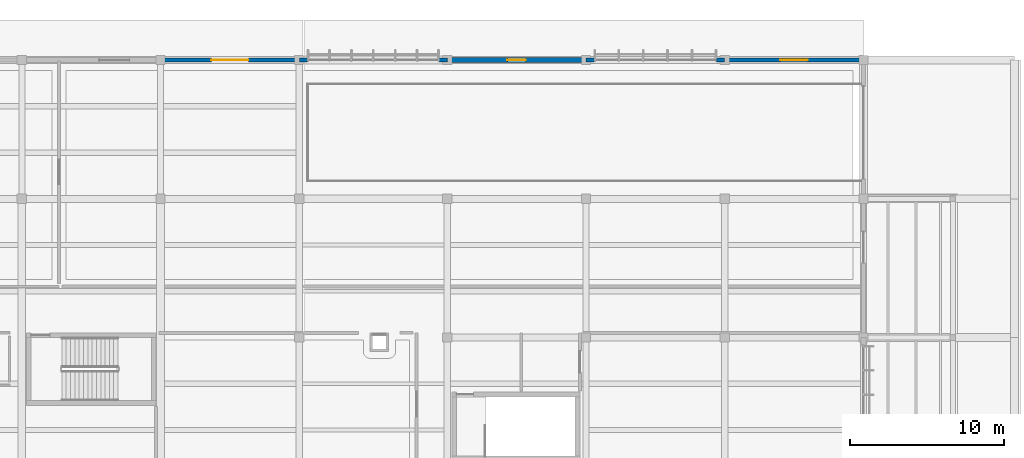
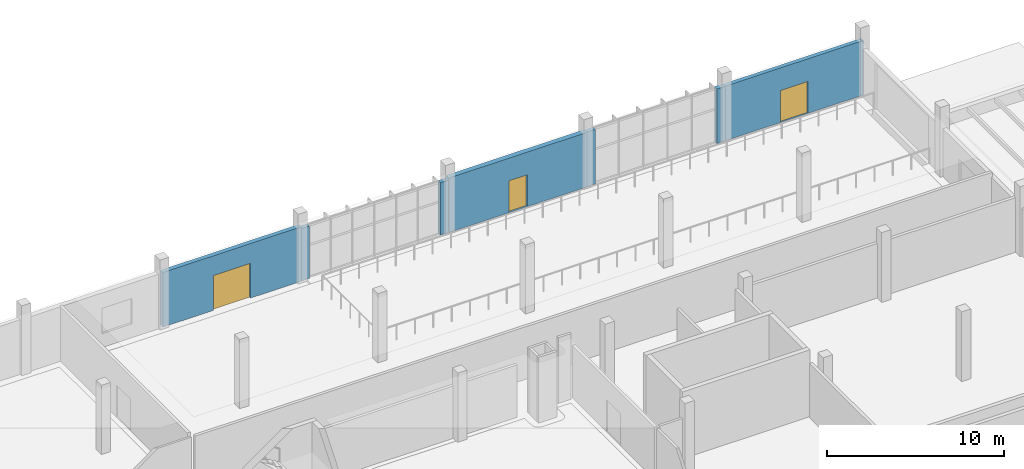
# One storey, part 131 of 151: 7 walls, 3 doors, 3 openings.
"""IFC4 building model written with IfcOpenShell, lengths in metres."""

from ifc_helpers import new_model, si_unit, direction, frame, frame_2d, origin, place, context, subcontext, project, spatial, rectangle, extrude, material, layer, layer_set, type_object, element, fill, save


model = new_model("IFC4")

# Units and contexts
model_context = context("Model", 3, precision=1e-05, world=origin(), true_north=direction((0.0, 1.0)))
body_context = subcontext(model_context, "Body", "Model", "MODEL_VIEW")
ifc_project = project(units=[si_unit("LENGTHUNIT", "METRE"), si_unit("AREAUNIT", "SQUARE_METRE"), si_unit("VOLUMEUNIT", "CUBIC_METRE"), si_unit("PLANEANGLEUNIT", "RADIAN"), si_unit("MASSUNIT", "GRAM", prefix="KILO")], contexts=[model_context])

# Site, building, storey
site_placement = place(None, origin())
site = spatial("IfcSite", under=ifc_project, at=site_placement, CompositionType="ELEMENT")
building_placement = place(site_placement, origin())
building = spatial("IfcBuilding", under=site, at=building_placement, Name="Chiffa Square Polytechnic", CompositionType="ELEMENT")
storey_placement = place(building_placement, origin())
storey = spatial("IfcBuildingStorey", under=building, at=storey_placement, Name="L00", CompositionType="ELEMENT", Elevation=0.0)

# Wall, opening, door
ifc_material_1 = material(Name="Precast concrete C40/50", Category="concrete")
ifc_layer_1 = layer(ifc_material_1, 0.260009765625, Name="Precast concrete C40/50")
ifc_layer_set_1 = layer_set([ifc_layer_1], Name="Precast concrete C40/50")
wall_type_1 = type_object("IfcWallType", Name="WL-EXT-PC260", PredefinedType="SOLIDWALL", material=ifc_layer_set_1)
wall_1_placement = place(storey_placement, frame((148.199951171875, 130.800048828125, 0.0), z_axis=(0.0, 0.0, 1.0), x_axis=(-1.0, 0.0, 0.0)))
wall_1 = element("IfcWall", 1, at=wall_1_placement, inside=storey, type_object=wall_type_1, Name="Exterior wall WE-V5-L00-0236", PredefinedType="SOLIDWALL", context=body_context, shape_type="SweptSolid", body=[
    extrude(rectangle(XDim=9.0, YDim=0.260009765625, at=frame_2d((4.5, 0.0))), origin(), (0.0, 0.0, 1.0), 3.7548828125),
])
opening_1_placement = place(wall_1_placement, frame((3.60009765625, 0.0, 0.0)))
opening_1 = element("IfcOpeningElement", 2, at=opening_1_placement, cuts=wall_1, Name="Opening DE-L00-048", PredefinedType="OPENING", context=body_context, shape_type="SweptSolid", body=[
    extrude(rectangle(XDim=1.800048828125, YDim=2.199951171875, at=frame_2d((0.89990234375, 1.10009765625))), frame((0.0, 0.14013671875, 0.0), z_axis=(0.0, -1.0, 0.0), x_axis=(1.0, 0.0, 0.0)), (0.0, 0.0, 1.0), 0.280029296875),
])
ifc_material_2 = material(Name="Painted galvanized steel", Category="steel")
door_type_1 = type_object("IfcDoorType", Name="DR-EXIT-DBL-1800", OperationType="DOUBLE_DOOR_SINGLE_SWING", PredefinedType="DOOR", material=ifc_material_2)
door_1_placement = place(opening_1_placement, origin())
door_1 = element("IfcDoor", 3, at=door_1_placement, inside=storey, type_object=door_type_1, Name="Exterior door DE-L00-048", OperationType="DOUBLE_DOOR_SINGLE_SWING", OverallHeight=2.199951171875, OverallWidth=1.800048828125, PredefinedType="DOOR", context=body_context, shape_type="SweptSolid", body=[
    extrude(rectangle(XDim=1.800048828125, YDim=2.199951171875, at=frame_2d((0.89990234375, 1.10009765625))), frame((0.0, 0.02490234375, 0.0), z_axis=(0.0, -1.0, 0.0), x_axis=(1.0, 0.0, 0.0)), (0.0, 0.0, 1.0), 0.050048828125),
])
fill(opening_1, door_1)

# Walls
wall_2_placement = place(storey_placement, frame((121.199951171875, 130.800048828125, 0.0), z_axis=(0.0, 0.0, 1.0), x_axis=(-1.0, 0.0, 0.0)))
element("IfcWall", 4, at=wall_2_placement, inside=storey, type_object=wall_type_1, Name="Facade column pier V5-L00-0239L", PredefinedType="SOLIDWALL", context=body_context, shape_type="SweptSolid", body=[
    extrude(rectangle(XDim=0.5400390625, YDim=0.260009765625, at=frame_2d((0.27001953125, 0.0))), origin(), (0.0, 0.0, 1.0), 3.60498046875),
])
wall_3_placement = place(storey_placement, frame((112.139892578125, 130.800048828125, 0.0), z_axis=(0.0, 0.0, 1.0), x_axis=(-1.0, 0.0, 0.0)))
element("IfcWall", 5, at=wall_3_placement, inside=storey, type_object=wall_type_1, Name="Facade column pier V5-L00-0239R", PredefinedType="SOLIDWALL", context=body_context, shape_type="SweptSolid", body=[
    extrude(rectangle(XDim=0.539794921875, YDim=0.260009765625, at=frame_2d((0.27001953125, 0.0))), origin(), (0.0, 0.0, 1.0), 3.60498046875),
])
ifc_layer_2 = layer(ifc_material_1, 0.280029296875, Name="Precast concrete C40/50")
ifc_layer_set_2 = layer_set([ifc_layer_2], Name="Precast concrete C40/50")
wall_type_2 = type_object("IfcWallType", Name="WL-EXT-PC280", PredefinedType="SOLIDWALL", material=ifc_layer_set_2)
for number, where, z_axis, x_axis, name in (
    (6, (139.199951171875, 130.800048828125, 0.0), (0.0, 0.0, 1.0), (-1.0, 0.0, 0.0), "Facade column pier V5-L00-0237L"),
    (7, (130.739990234375, 130.800048828125, 0.0), (0.0, 0.0, 1.0), (-1.0, 0.0, 0.0), "Facade column pier V5-L00-0237R"),
):
    element("IfcWall", number, at=place(storey_placement, frame(where, z_axis=z_axis, x_axis=x_axis)), inside=storey, type_object=wall_type_2, Name=name, PredefinedType="SOLIDWALL", context=body_context, shape_type="SweptSolid", body=[
        extrude(rectangle(XDim=0.5400390625, YDim=0.280029296875, at=frame_2d((0.27001953125, 0.0))), origin(), (0.0, 0.0, 1.0), 3.7548828125),
    ])

# Wall, opening, door
wall_4_placement = place(storey_placement, frame((111.60009765625, 130.800048828125, 0.0), z_axis=(0.0, 0.0, 1.0), x_axis=(-1.0, 0.0, 0.0)))
wall_4 = element("IfcWall", 8, at=wall_4_placement, inside=storey, type_object=wall_type_2, Name="Exterior wall WE-V5-L00-0240", PredefinedType="SOLIDWALL", context=body_context, shape_type="SweptSolid", body=[
    extrude(rectangle(XDim=9.0, YDim=0.280029296875, at=frame_2d((4.5, 0.0))), origin(), (0.0, 0.0, 1.0), 3.7548828125),
])
opening_2_placement = place(wall_4_placement, frame((3.300048828125, 0.0, 0.0)))
opening_2 = element("IfcOpeningElement", 9, at=opening_2_placement, cuts=wall_4, Name="Opening DE-L00-050", PredefinedType="OPENING", context=body_context, shape_type="SweptSolid", body=[
    extrude(rectangle(XDim=2.39990234375, YDim=2.39990234375, at=frame_2d((1.199951171875, 1.199951171875))), frame((0.0, 0.14990234375, 0.0), z_axis=(0.0, -1.0, 0.0), x_axis=(1.0, 0.0, 0.0)), (0.0, 0.0, 1.0), 0.300048828125),
])
ifc_material_3 = material(Name="Aluminium and laminated safety glass", Category="aluminium")
door_type_2 = type_object("IfcDoorType", Name="DR-EXIT-DBL-2400", OperationType="DOUBLE_DOOR_SINGLE_SWING", PredefinedType="DOOR", material=ifc_material_3)
door_2_placement = place(opening_2_placement, origin())
door_2 = element("IfcDoor", 10, at=door_2_placement, inside=storey, type_object=door_type_2, Name="Exterior door DE-L00-050", OperationType="DOUBLE_DOOR_SINGLE_SWING", OverallHeight=2.39990234375, OverallWidth=2.39990234375, PredefinedType="DOOR", context=body_context, shape_type="SweptSolid", body=[
    extrude(rectangle(XDim=2.39990234375, YDim=2.39990234375, at=frame_2d((1.199951171875, 1.199951171875))), frame((0.0, 0.02490234375, 0.0), z_axis=(0.0, -1.0, 0.0), x_axis=(1.0, 0.0, 0.0)), (0.0, 0.0, 1.0), 0.050048828125),
])
fill(opening_2, door_2)

ifc_layer_3 = layer(ifc_material_1, 0.320068359375, Name="Precast concrete C40/50")
ifc_layer_set_3 = layer_set([ifc_layer_3], Name="Precast concrete C40/50")
wall_type_3 = type_object("IfcWallType", Name="WL-EXT-PC320", PredefinedType="SOLIDWALL", material=ifc_layer_set_3)
wall_5_placement = place(storey_placement, frame((130.199951171875, 130.800048828125, 0.0), z_axis=(0.0, 0.0, 1.0), x_axis=(-1.0, 0.0, 0.0)))
wall_5 = element("IfcWall", 11, at=wall_5_placement, inside=storey, type_object=wall_type_3, Name="Exterior wall WE-V5-L00-0238", PredefinedType="SOLIDWALL", context=body_context, shape_type="SweptSolid", body=[
    extrude(rectangle(XDim=9.0, YDim=0.320068359375, at=frame_2d((4.5, 0.0))), origin(), (0.0, 0.0, 1.0), 3.7548828125),
])
opening_3_placement = place(wall_5_placement, frame((3.89990234375, 0.0, 0.0)))
opening_3 = element("IfcOpeningElement", 12, at=opening_3_placement, cuts=wall_5, Name="Opening DE-L00-049", PredefinedType="OPENING", context=body_context, shape_type="SweptSolid", body=[
    extrude(rectangle(XDim=1.199951171875, YDim=2.199951171875, at=frame_2d((0.60009765625, 1.10009765625))), frame((0.0, 0.169921875, 0.0), z_axis=(0.0, -1.0, 0.0), x_axis=(1.0, 0.0, 0.0)), (0.0, 0.0, 1.0), 0.340087890625),
])
door_type_3 = type_object("IfcDoorType", Name="DR-EXT-SVC-1200", OperationType="NOTDEFINED", PredefinedType="DOOR", material=ifc_material_2)
door_3_placement = place(opening_3_placement, origin())
door_3 = element("IfcDoor", 13, at=door_3_placement, inside=storey, type_object=door_type_3, Name="Exterior door DE-L00-049", OperationType="SINGLE_SWING_RIGHT", OverallHeight=2.199951171875, OverallWidth=1.199951171875, PredefinedType="DOOR", context=body_context, shape_type="SweptSolid", body=[
    extrude(rectangle(XDim=1.199951171875, YDim=2.199951171875, at=frame_2d((0.60009765625, 1.10009765625))), frame((0.0, 0.02490234375, 0.0), z_axis=(0.0, -1.0, 0.0), x_axis=(1.0, 0.0, 0.0)), (0.0, 0.0, 1.0), 0.050048828125),
])
fill(opening_3, door_3)

save(model, "model.ifc")
